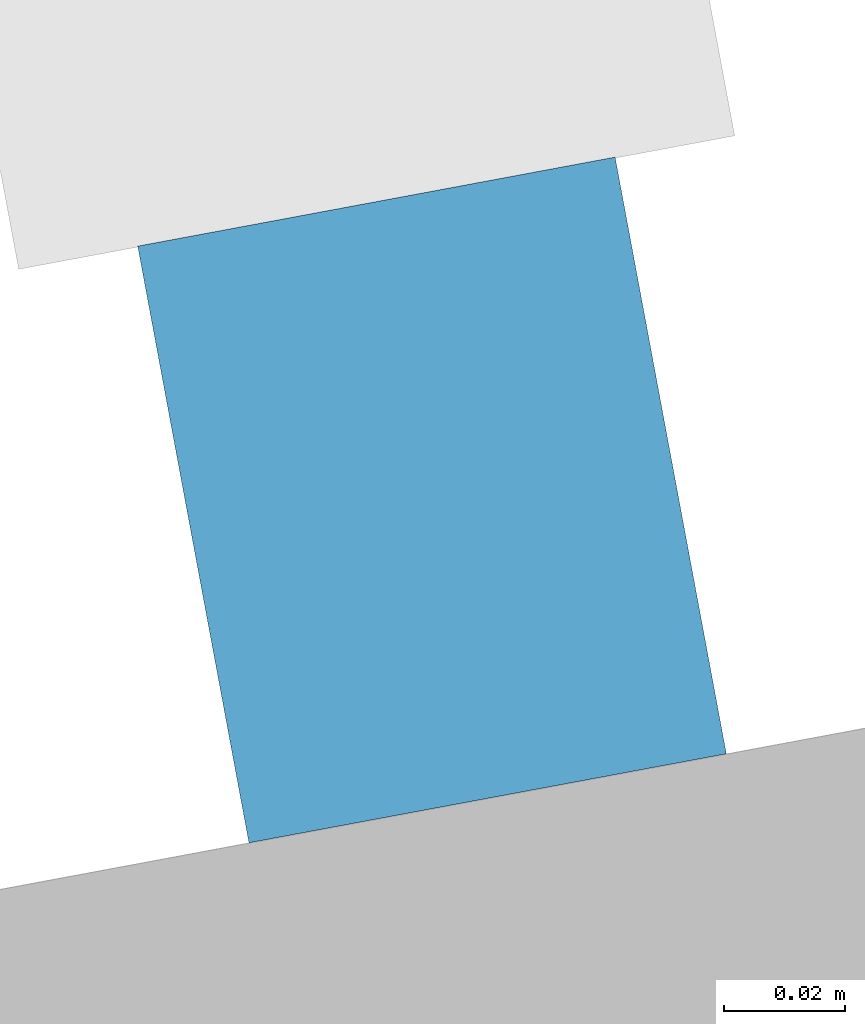
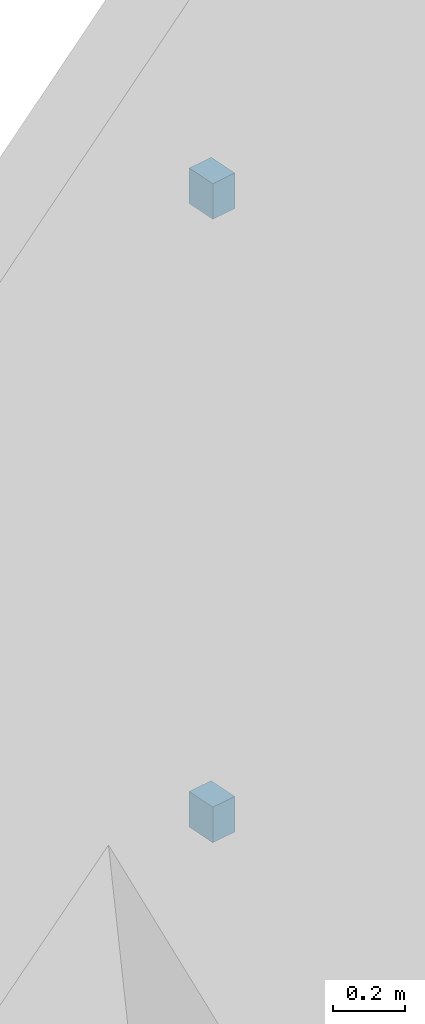
# One storey, part 13 of 20: 2 discrete accessories.
"""IFC4 building model written with IfcOpenShell, lengths in metres."""

from ifc_helpers import new_model, si_unit, direction, frame, origin, origin_2d, place, context, subcontext, project, spatial, rectangle, extrude, element, save


model = new_model("IFC4")

# Units and contexts
model_context = context("Model", 3, precision=1e-05, world=origin(), true_north=direction((0.0, 1.0)))
body_context = subcontext(model_context, "Body", "Model", "MODEL_VIEW")
ifc_project = project(units=[si_unit("LENGTHUNIT", "METRE"), si_unit("AREAUNIT", "SQUARE_METRE"), si_unit("VOLUMEUNIT", "CUBIC_METRE"), si_unit("PLANEANGLEUNIT", "RADIAN"), si_unit("MASSUNIT", "GRAM", prefix="KILO")], contexts=[model_context])

# Site, building, storey
site_placement = place(None, origin())
site = spatial("IfcSite", under=ifc_project, at=site_placement, CompositionType="ELEMENT")
building_placement = place(site_placement, origin())
building = spatial("IfcBuilding", under=site, at=building_placement, Name="Verdalira Terraces Hotel", CompositionType="ELEMENT")
storey_placement = place(building_placement, frame((0.0, 0.0, 75.0)))
storey = spatial("IfcBuildingStorey", under=building, at=storey_placement, Name="L17", CompositionType="ELEMENT", Elevation=75.0)

# Discrete accessories
for number, where, z_axis, x_axis, name in (
    (1, (-7.748047, 41.562256, 1.139893), (0.0, 0.0, 1.0), (-0.983063532, -0.183265088, 0.0), "Fin bracket"),
    (2, (-7.748047, 41.562256, 3.23999), (0.0, 0.0, 1.0), (-0.983063532, -0.183265088, 0.0), "Fin bracket"),
):
    element("IfcDiscreteAccessory", number, at=place(storey_placement, frame(where, z_axis=z_axis, x_axis=x_axis)), inside=storey, Name=name, PredefinedType="BRACKET", context=body_context, shape_type="SweptSolid", body=[
        extrude(rectangle(XDim=0.080078, YDim=0.100098, at=origin_2d()), origin(), (0.0, 0.0, 1.0), 0.120117),
    ])

save(model, "model.ifc")
